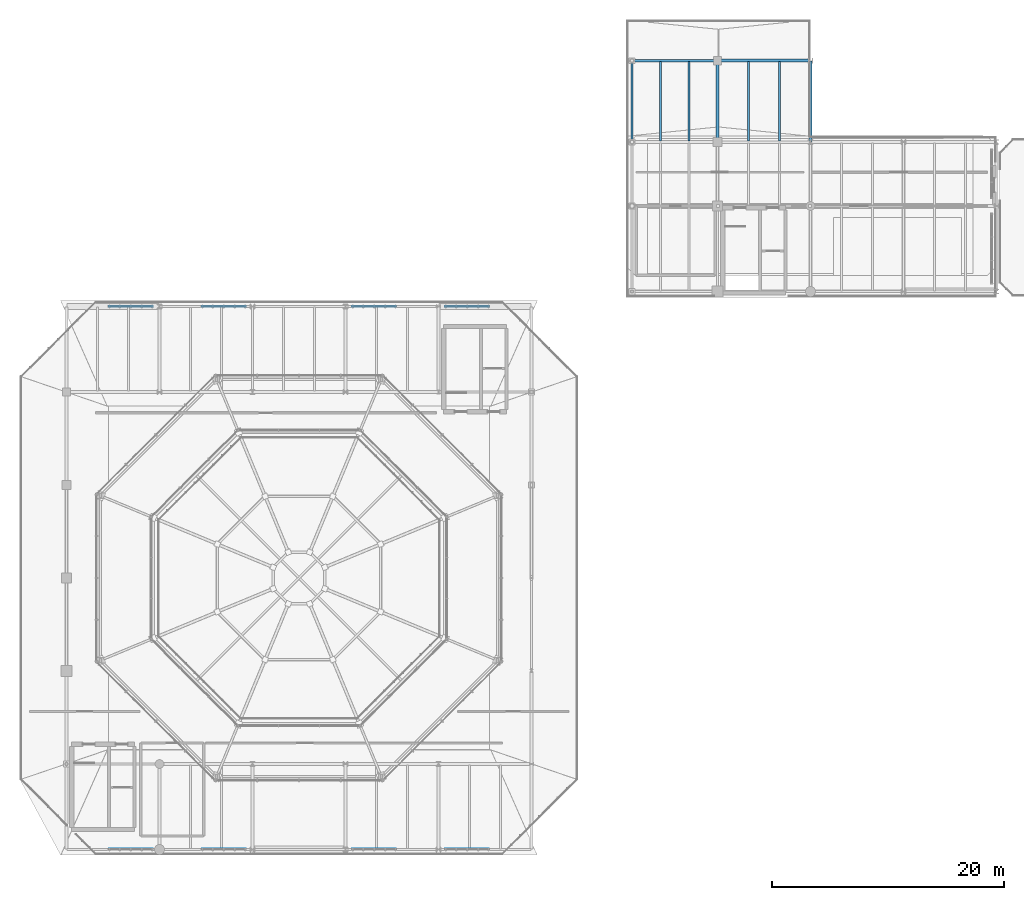
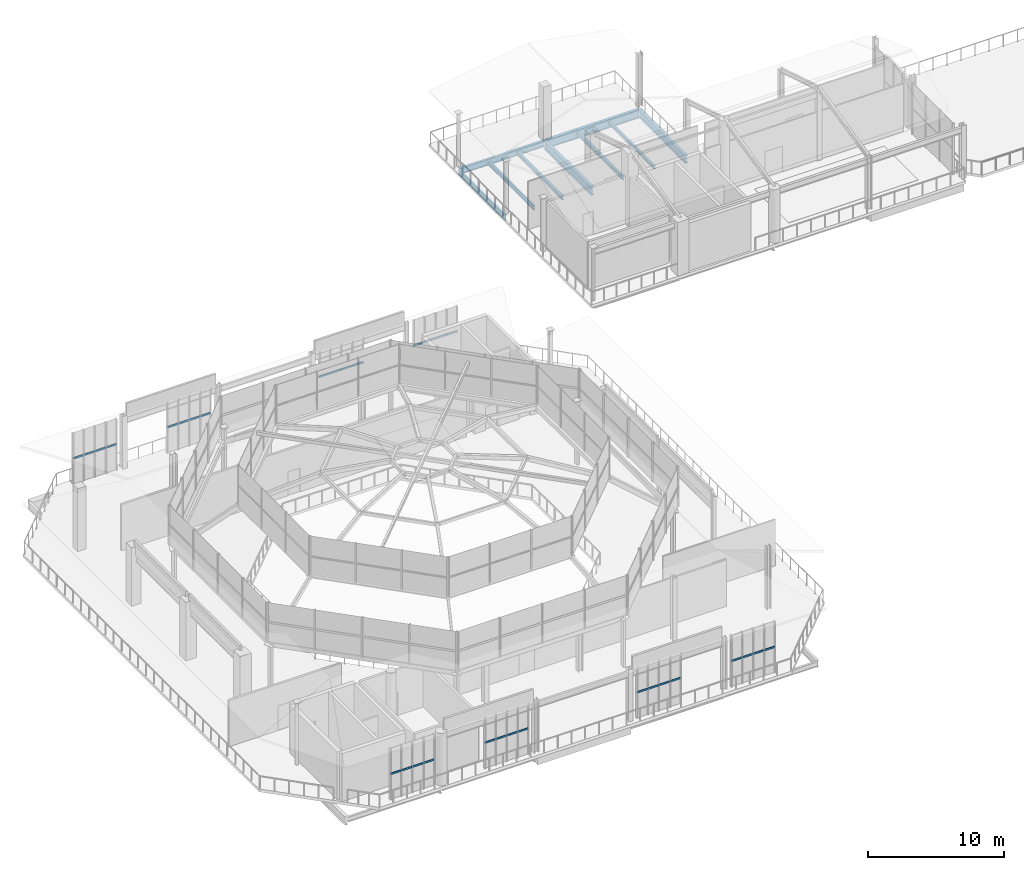
# One storey, part 18 of 30: 32 members, 9 beams, 8 elements without a shape of their own.
"""IFC4 building model written with IfcOpenShell, lengths in metres."""

from ifc_helpers import new_model, si_unit, direction, frame, origin, origin_2d, place, context, subcontext, project, spatial, rectangle, i_section, extrude, material, material_profile, profile_set, type_object, element, aggregate, save


model = new_model("IFC4")

# Units and contexts
model_context = context("Model", 3, precision=1e-05, world=origin(), true_north=direction((0.0, 1.0)))
body_context = subcontext(model_context, "Body", "Model", "MODEL_VIEW")
ifc_project = project(units=[si_unit("LENGTHUNIT", "METRE"), si_unit("AREAUNIT", "SQUARE_METRE"), si_unit("VOLUMEUNIT", "CUBIC_METRE"), si_unit("PLANEANGLEUNIT", "RADIAN"), si_unit("MASSUNIT", "GRAM", prefix="KILO")], contexts=[model_context])

# Site, building, storey
site_placement = place(None, origin())
site = spatial("IfcSite", under=ifc_project, at=site_placement, CompositionType="ELEMENT")
building_placement = place(site_placement, origin())
building = spatial("IfcBuilding", under=site, at=building_placement, Name="Brisemont Oceanarium", CompositionType="ELEMENT")
storey_placement = place(building_placement, frame((0.0, 0.0, 19.800048828125)))
storey = spatial("IfcBuildingStorey", under=building, at=storey_placement, Name="L04", CompositionType="ELEMENT", Elevation=19.800048828125)

# Beams
ifc_material_1 = material(Name="Structural Steel ASTM A992 Gr.50", Category="steel")
ifc_material_profile_1 = material_profile(ifc_material_1, i_section(OverallWidth=0.1650390625, OverallDepth=0.31005859375, WebThickness=0.005859375, FlangeThickness=0.009765625, FilletRadius=0.008056640625, at=origin_2d()), Name="W12X26")
ifc_profile_set_1 = profile_set([ifc_material_profile_1], Name="Structural Steel ASTM A992 Gr.50")
beam_type_1 = type_object("IfcBeamType", Name="BM-W12X26", PredefinedType="JOIST", material=ifc_profile_set_1)
beam_1_placement = place(storey_placement, frame((125.333251953125, 93.590087890625, -0.39501953125), z_axis=(0.0, 1.0, 0.0), x_axis=(-1.0, 0.0, 0.0)))
element("IfcBeam", 1, at=beam_1_placement, inside=storey, type_object=beam_type_1, Name="V6 L04 secondary floor beam", PredefinedType="JOIST", context=body_context, shape_type="SweptSolid", body=[
    extrude(i_section(OverallWidth=0.1650390625, OverallDepth=0.31005859375, WebThickness=0.005859375, FlangeThickness=0.009765625, FilletRadius=0.008056640625, at=origin_2d()), origin(), (0.0, 0.0, 1.0), 6.81982421875),
])
ifc_material_2 = material(Name="Structural Steel ASTM A992 Gr.50", Category="steel")
ifc_material_profile_2 = material_profile(ifc_material_2, i_section(OverallWidth=0.1708984375, OverallDepth=0.35107421875, WebThickness=0.0068359375, FlangeThickness=0.009765625, FilletRadius=0.010009765625, at=origin_2d()), Name="W14X30")
ifc_profile_set_2 = profile_set([ifc_material_profile_2], Name="Structural Steel ASTM A992 Gr.50")
beam_type_2 = type_object("IfcBeamType", Name="BM-W14X30", PredefinedType="JOIST", material=ifc_profile_set_2)
for number, where, z_axis, x_axis, name in (
    (2, (117.550048828125, 93.590087890625, -0.41552734375), (0.0, 1.0, 0.0), (-1.0, 0.0, 0.0), "V6 L04 secondary floor beam"),
    (3, (122.666748046875, 93.590087890625, -0.41552734375), (0.0, 1.0, 0.0), (-1.0, 0.0, 0.0), "V6 L04 secondary floor beam"),
):
    element("IfcBeam", number, at=place(storey_placement, frame(where, z_axis=z_axis, x_axis=x_axis)), inside=storey, type_object=beam_type_2, Name=name, PredefinedType="JOIST", context=body_context, shape_type="SweptSolid", body=[
        extrude(i_section(OverallWidth=0.1708984375, OverallDepth=0.35107421875, WebThickness=0.0068359375, FlangeThickness=0.009765625, FilletRadius=0.010009765625, at=origin_2d()), origin(), (0.0, 0.0, 1.0), 6.81982421875),
    ])
ifc_material_3 = material(Name="Structural Steel ASTM A992 Gr.50", Category="steel")
ifc_material_profile_3 = material_profile(ifc_material_3, i_section(OverallWidth=0.139892578125, OverallDepth=0.39892578125, WebThickness=0.00634765625, FlangeThickness=0.0087890625, FilletRadius=0.010009765625, at=origin_2d()), Name="W16X26")
ifc_profile_set_3 = profile_set([ifc_material_profile_3], Name="Structural Steel ASTM A992 Gr.50")
beam_type_3 = type_object("IfcBeamType", Name="BM-W16X26", PredefinedType="JOIST", material=ifc_profile_set_3)
beam_2_placement = place(storey_placement, frame((115.10009765625, 93.590087890625, -0.439453125), z_axis=(0.0, 1.0, 0.0), x_axis=(-1.0, 0.0, 0.0)))
element("IfcBeam", 4, at=beam_2_placement, inside=storey, type_object=beam_type_3, Name="V6 L04 secondary floor beam", PredefinedType="JOIST", context=body_context, shape_type="SweptSolid", body=[
    extrude(i_section(OverallWidth=0.139892578125, OverallDepth=0.39892578125, WebThickness=0.00634765625, FlangeThickness=0.0087890625, FilletRadius=0.010009765625, at=origin_2d()), origin(), (0.0, 0.0, 1.0), 6.81982421875),
])
ifc_material_4 = material(Name="Structural Steel ASTM A992 Gr.50", Category="steel")
ifc_material_profile_4 = material_profile(ifc_material_4, i_section(OverallWidth=0.154052734375, OverallDepth=0.458984375, WebThickness=0.009033203125, FlangeThickness=0.015380859375, FilletRadius=0.010986328125, at=origin_2d()), Name="W18X46")
ifc_profile_set_4 = profile_set([ifc_material_profile_4], Name="Structural Steel ASTM A992 Gr.50")
beam_type_4 = type_object("IfcBeamType", Name="BM-W18X46", PredefinedType="SPANDREL", material=ifc_profile_set_4)
beam_3_placement = place(storey_placement, frame((112.64990234375, 93.5400390625, -0.469482421875), z_axis=(0.0, 1.0, 0.0), x_axis=(-1.0, 0.0, 0.0)))
element("IfcBeam", 5, at=beam_3_placement, inside=storey, type_object=beam_type_4, Name="V6 L04 NS girder", PredefinedType="SPANDREL", context=body_context, shape_type="SweptSolid", body=[
    extrude(i_section(OverallWidth=0.154052734375, OverallDepth=0.458984375, WebThickness=0.009033203125, FlangeThickness=0.015380859375, FilletRadius=0.010986328125, at=origin_2d()), origin(), (0.0, 0.0, 1.0), 6.919921875),
])
ifc_material_5 = material(Name="Structural Steel ASTM A992 Gr.50", Category="steel")
ifc_material_profile_5 = material_profile(ifc_material_5, i_section(OverallWidth=0.2099609375, OverallDepth=0.532958984375, WebThickness=0.01025390625, FlangeThickness=0.015625, FilletRadius=0.012939453125, at=origin_2d()), Name="W21X62")
ifc_profile_set_5 = profile_set([ifc_material_profile_5], Name="Structural Steel ASTM A992 Gr.50")
beam_type_5 = type_object("IfcBeamType", Name="BM-W21X62", PredefinedType="BEAM", material=ifc_profile_set_5)
beam_4_placement = place(storey_placement, frame((112.68994140625, 100.5, -0.506591796875), z_axis=(1.0, 0.0, 0.0), x_axis=(0.0, 1.0, 0.0)))
element("IfcBeam", 6, at=beam_4_placement, inside=storey, type_object=beam_type_5, Name="V6 L04 EW girder", PredefinedType="BEAM", context=body_context, shape_type="SweptSolid", body=[
    extrude(i_section(OverallWidth=0.2099609375, OverallDepth=0.532958984375, WebThickness=0.01025390625, FlangeThickness=0.015625, FilletRadius=0.012939453125, at=origin_2d()), origin(), (0.0, 0.0, 1.0), 7.27001953125),
])
ifc_material_6 = material(Name="Structural Steel ASTM A992 Gr.50", Category="steel")
ifc_material_profile_6 = material_profile(ifc_material_6, i_section(OverallWidth=0.25390625, OverallDepth=0.68310546875, WebThickness=0.012451171875, FlangeThickness=0.018798828125, FilletRadius=0.014892578125, at=origin_2d()), Name="W27X94")
ifc_profile_set_6 = profile_set([ifc_material_profile_6], Name="Structural Steel ASTM A992 Gr.50")
beam_type_6 = type_object("IfcBeamType", Name="BM-W27X94", PredefinedType="BEAM", material=ifc_profile_set_6)
beam_5_placement = place(storey_placement, frame((128.0, 93.5400390625, -0.58154296875), z_axis=(0.0, 1.0, 0.0), x_axis=(-1.0, 0.0, 0.0)))
element("IfcBeam", 7, at=beam_5_placement, inside=storey, type_object=beam_type_6, Name="V6 L04 NS girder", PredefinedType="BEAM", context=body_context, shape_type="SweptSolid", body=[
    extrude(i_section(OverallWidth=0.25390625, OverallDepth=0.68310546875, WebThickness=0.012451171875, FlangeThickness=0.018798828125, FilletRadius=0.014892578125, at=origin_2d()), origin(), (0.0, 0.0, 1.0), 6.919921875),
])
ifc_material_7 = material(Name="Structural Steel ASTM A992 Gr.50", Category="steel")
ifc_material_profile_7 = material_profile(ifc_material_7, i_section(OverallWidth=0.26708984375, OverallDepth=0.761962890625, WebThickness=0.014404296875, FlangeThickness=0.021484375, FilletRadius=0.01611328125, at=origin_2d()), Name="W30X116")
ifc_profile_set_7 = profile_set([ifc_material_profile_7], Name="Structural Steel ASTM A992 Gr.50")
beam_type_7 = type_object("IfcBeamType", Name="BM-W30X116", PredefinedType="BEAM", material=ifc_profile_set_7)
beam_6_placement = place(storey_placement, frame((120.0400390625, 100.5, -0.62109375), z_axis=(1.0, 0.0, 0.0), x_axis=(0.0, 1.0, 0.0)))
element("IfcBeam", 8, at=beam_6_placement, inside=storey, type_object=beam_type_7, Name="V6 L04 EW girder", PredefinedType="BEAM", context=body_context, shape_type="SweptSolid", body=[
    extrude(i_section(OverallWidth=0.26708984375, OverallDepth=0.761962890625, WebThickness=0.014404296875, FlangeThickness=0.021484375, FilletRadius=0.01611328125, at=origin_2d()), origin(), (0.0, 0.0, 1.0), 7.919921875),
])
ifc_material_8 = material(Name="Structural Steel ASTM A992 Gr.50", Category="steel")
ifc_material_profile_8 = material_profile(ifc_material_8, i_section(OverallWidth=0.264892578125, OverallDepth=0.7529296875, WebThickness=0.01318359375, FlangeThickness=0.01708984375, FilletRadius=0.01611328125, at=origin_2d()), Name="W30X99")
ifc_profile_set_8 = profile_set([ifc_material_profile_8], Name="Structural Steel ASTM A992 Gr.50")
beam_type_8 = type_object("IfcBeamType", Name="BM-W30X99", PredefinedType="BEAM", material=ifc_profile_set_8)
beam_7_placement = place(storey_placement, frame((120.0, 93.5400390625, -0.616455078125), z_axis=(0.0, 1.0, 0.0), x_axis=(-1.0, 0.0, 0.0)))
element("IfcBeam", 9, at=beam_7_placement, inside=storey, type_object=beam_type_8, Name="V6 L04 NS girder", PredefinedType="BEAM", context=body_context, shape_type="SweptSolid", body=[
    extrude(i_section(OverallWidth=0.264892578125, OverallDepth=0.7529296875, WebThickness=0.01318359375, FlangeThickness=0.01708984375, FilletRadius=0.01611328125, at=origin_2d()), origin(), (0.0, 0.0, 1.0), 6.919921875),
])

# Curtain wall, members
ifc_material_9 = material(Name="Anodized Extruded Aluminum 6063-T6", Category="aluminium")
curtain_wall_type = type_object("IfcCurtainWallType", Name="CW-ROT-69X44", PredefinedType="NOTDEFINED", material=ifc_material_9)
curtain_wall_1_placement = place(storey_placement, origin())
curtain_wall_1 = element("IfcCurtainWall", 10, at=curtain_wall_1_placement, inside=storey, type_object=curtain_wall_type, Name="CW-03 curtain wall CW-V1-S-L04-01", PredefinedType="NOTDEFINED")
ifc_material_10 = material(Name="Anodized Extruded Aluminum 6063-T6", Category="aluminium")
ifc_material_profile_9 = material_profile(ifc_material_10, rectangle(XDim=0.074951171875, YDim=0.1650390625, at=origin_2d()), Name="CWT-75X165")
ifc_profile_set_9 = profile_set([ifc_material_profile_9], Name="Anodized Extruded Aluminum 6063-T6")
member_type = type_object("IfcMemberType", Name="MEM-CWT-75", PredefinedType="USERDEFINED", material=ifc_profile_set_9)
member_1_placement = place(storey_placement, frame((67.6650390625, 32.64990234375, 2.300048828125), z_axis=(1.0, 0.0, 0.0), x_axis=(0.0, 1.0, 0.0)))
member_1 = element("IfcMember", 11, at=member_1_placement, type_object=member_type, Name="CW-V1-S-L04-01 transom 1.1", ObjectType="TRANSOM", PredefinedType="USERDEFINED", context=body_context, shape_type="SweptSolid", body=[
    extrude(rectangle(XDim=0.074951171875, YDim=0.1650390625, at=origin_2d()), origin(), (0.0, 0.0, 1.0), 0.912353515625),
])
member_2_placement = place(storey_placement, frame((68.607421875, 32.64990234375, 2.300048828125), z_axis=(1.0, 0.0, 0.0), x_axis=(0.0, 1.0, 0.0)))
member_2 = element("IfcMember", 12, at=member_2_placement, type_object=member_type, Name="CW-V1-S-L04-01 transom 2.1", ObjectType="TRANSOM", PredefinedType="USERDEFINED", context=body_context, shape_type="SweptSolid", body=[
    extrude(rectangle(XDim=0.074951171875, YDim=0.1650390625, at=origin_2d()), origin(), (0.0, 0.0, 1.0), 0.91259765625),
])
member_3_placement = place(storey_placement, frame((69.550048828125, 32.64990234375, 2.300048828125), z_axis=(1.0, 0.0, 0.0), x_axis=(0.0, 1.0, 0.0)))
member_3 = element("IfcMember", 13, at=member_3_placement, type_object=member_type, Name="CW-V1-S-L04-01 transom 3.1", ObjectType="TRANSOM", PredefinedType="USERDEFINED", context=body_context, shape_type="SweptSolid", body=[
    extrude(rectangle(XDim=0.074951171875, YDim=0.1650390625, at=origin_2d()), origin(), (0.0, 0.0, 1.0), 0.912353515625),
])
member_4_placement = place(storey_placement, frame((70.492431640625, 32.64990234375, 2.300048828125), z_axis=(1.0, 0.0, 0.0), x_axis=(0.0, 1.0, 0.0)))
member_4 = element("IfcMember", 14, at=member_4_placement, type_object=member_type, Name="CW-V1-S-L04-01 transom 4.1", ObjectType="TRANSOM", PredefinedType="USERDEFINED", context=body_context, shape_type="SweptSolid", body=[
    extrude(rectangle(XDim=0.074951171875, YDim=0.1650390625, at=origin_2d()), origin(), (0.0, 0.0, 1.0), 0.91259765625),
])
aggregate(curtain_wall_1, [member_1, member_2, member_3, member_4])

curtain_wall_2_placement = place(storey_placement, origin())
curtain_wall_2 = element("IfcCurtainWall", 15, at=curtain_wall_2_placement, inside=storey, type_object=curtain_wall_type, Name="CW-03 curtain wall CW-V1-S-L04-02", PredefinedType="NOTDEFINED")
member_5_placement = place(storey_placement, frame((75.6650390625, 32.64990234375, 2.300048828125), z_axis=(1.0, 0.0, 0.0), x_axis=(0.0, 1.0, 0.0)))
member_5 = element("IfcMember", 16, at=member_5_placement, type_object=member_type, Name="CW-V1-S-L04-02 transom 1.1", ObjectType="TRANSOM", PredefinedType="USERDEFINED", context=body_context, shape_type="SweptSolid", body=[
    extrude(rectangle(XDim=0.074951171875, YDim=0.1650390625, at=origin_2d()), origin(), (0.0, 0.0, 1.0), 0.912353515625),
])
member_6_placement = place(storey_placement, frame((76.607421875, 32.64990234375, 2.300048828125), z_axis=(1.0, 0.0, 0.0), x_axis=(0.0, 1.0, 0.0)))
member_6 = element("IfcMember", 17, at=member_6_placement, type_object=member_type, Name="CW-V1-S-L04-02 transom 2.1", ObjectType="TRANSOM", PredefinedType="USERDEFINED", context=body_context, shape_type="SweptSolid", body=[
    extrude(rectangle(XDim=0.074951171875, YDim=0.1650390625, at=origin_2d()), origin(), (0.0, 0.0, 1.0), 0.91259765625),
])
member_7_placement = place(storey_placement, frame((77.550048828125, 32.64990234375, 2.300048828125), z_axis=(1.0, 0.0, 0.0), x_axis=(0.0, 1.0, 0.0)))
member_7 = element("IfcMember", 18, at=member_7_placement, type_object=member_type, Name="CW-V1-S-L04-02 transom 3.1", ObjectType="TRANSOM", PredefinedType="USERDEFINED", context=body_context, shape_type="SweptSolid", body=[
    extrude(rectangle(XDim=0.074951171875, YDim=0.1650390625, at=origin_2d()), origin(), (0.0, 0.0, 1.0), 0.912353515625),
])
member_8_placement = place(storey_placement, frame((78.492431640625, 32.64990234375, 2.300048828125), z_axis=(1.0, 0.0, 0.0), x_axis=(0.0, 1.0, 0.0)))
member_8 = element("IfcMember", 19, at=member_8_placement, type_object=member_type, Name="CW-V1-S-L04-02 transom 4.1", ObjectType="TRANSOM", PredefinedType="USERDEFINED", context=body_context, shape_type="SweptSolid", body=[
    extrude(rectangle(XDim=0.074951171875, YDim=0.1650390625, at=origin_2d()), origin(), (0.0, 0.0, 1.0), 0.91259765625),
])
aggregate(curtain_wall_2, [member_5, member_6, member_7, member_8])

curtain_wall_3_placement = place(storey_placement, origin())
curtain_wall_3 = element("IfcCurtainWall", 20, at=curtain_wall_3_placement, inside=storey, type_object=curtain_wall_type, Name="CW-03 curtain wall CW-V1-S-L04-03", PredefinedType="NOTDEFINED")
member_9_placement = place(storey_placement, frame((88.594970703125, 32.64990234375, 2.300048828125), z_axis=(1.0, 0.0, 0.0), x_axis=(0.0, 1.0, 0.0)))
member_9 = element("IfcMember", 21, at=member_9_placement, type_object=member_type, Name="CW-V1-S-L04-03 transom 1.1", ObjectType="TRANSOM", PredefinedType="USERDEFINED", context=body_context, shape_type="SweptSolid", body=[
    extrude(rectangle(XDim=0.074951171875, YDim=0.1650390625, at=origin_2d()), origin(), (0.0, 0.0, 1.0), 0.91259765625),
])
member_10_placement = place(storey_placement, frame((89.53759765625, 32.64990234375, 2.300048828125), z_axis=(1.0, 0.0, 0.0), x_axis=(0.0, 1.0, 0.0)))
member_10 = element("IfcMember", 22, at=member_10_placement, type_object=member_type, Name="CW-V1-S-L04-03 transom 2.1", ObjectType="TRANSOM", PredefinedType="USERDEFINED", context=body_context, shape_type="SweptSolid", body=[
    extrude(rectangle(XDim=0.074951171875, YDim=0.1650390625, at=origin_2d()), origin(), (0.0, 0.0, 1.0), 0.912353515625),
])
member_11_placement = place(storey_placement, frame((90.47998046875, 32.64990234375, 2.300048828125), z_axis=(1.0, 0.0, 0.0), x_axis=(0.0, 1.0, 0.0)))
member_11 = element("IfcMember", 23, at=member_11_placement, type_object=member_type, Name="CW-V1-S-L04-03 transom 3.1", ObjectType="TRANSOM", PredefinedType="USERDEFINED", context=body_context, shape_type="SweptSolid", body=[
    extrude(rectangle(XDim=0.074951171875, YDim=0.1650390625, at=origin_2d()), origin(), (0.0, 0.0, 1.0), 0.91259765625),
])
member_12_placement = place(storey_placement, frame((91.422607421875, 32.64990234375, 2.300048828125), z_axis=(1.0, 0.0, 0.0), x_axis=(0.0, 1.0, 0.0)))
member_12 = element("IfcMember", 24, at=member_12_placement, type_object=member_type, Name="CW-V1-S-L04-03 transom 4.1", ObjectType="TRANSOM", PredefinedType="USERDEFINED", context=body_context, shape_type="SweptSolid", body=[
    extrude(rectangle(XDim=0.074951171875, YDim=0.1650390625, at=origin_2d()), origin(), (0.0, 0.0, 1.0), 0.912353515625),
])
aggregate(curtain_wall_3, [member_9, member_10, member_11, member_12])

curtain_wall_4_placement = place(storey_placement, origin())
curtain_wall_4 = element("IfcCurtainWall", 25, at=curtain_wall_4_placement, inside=storey, type_object=curtain_wall_type, Name="CW-03 curtain wall CW-V1-S-L04-04", PredefinedType="NOTDEFINED")
member_13_placement = place(storey_placement, frame((96.594970703125, 32.64990234375, 2.300048828125), z_axis=(1.0, 0.0, 0.0), x_axis=(0.0, 1.0, 0.0)))
member_13 = element("IfcMember", 26, at=member_13_placement, type_object=member_type, Name="CW-V1-S-L04-04 transom 1.1", ObjectType="TRANSOM", PredefinedType="USERDEFINED", context=body_context, shape_type="SweptSolid", body=[
    extrude(rectangle(XDim=0.074951171875, YDim=0.1650390625, at=origin_2d()), origin(), (0.0, 0.0, 1.0), 0.91259765625),
])
member_14_placement = place(storey_placement, frame((97.53759765625, 32.64990234375, 2.300048828125), z_axis=(1.0, 0.0, 0.0), x_axis=(0.0, 1.0, 0.0)))
member_14 = element("IfcMember", 27, at=member_14_placement, type_object=member_type, Name="CW-V1-S-L04-04 transom 2.1", ObjectType="TRANSOM", PredefinedType="USERDEFINED", context=body_context, shape_type="SweptSolid", body=[
    extrude(rectangle(XDim=0.074951171875, YDim=0.1650390625, at=origin_2d()), origin(), (0.0, 0.0, 1.0), 0.912353515625),
])
member_15_placement = place(storey_placement, frame((98.47998046875, 32.64990234375, 2.300048828125), z_axis=(1.0, 0.0, 0.0), x_axis=(0.0, 1.0, 0.0)))
member_15 = element("IfcMember", 28, at=member_15_placement, type_object=member_type, Name="CW-V1-S-L04-04 transom 3.1", ObjectType="TRANSOM", PredefinedType="USERDEFINED", context=body_context, shape_type="SweptSolid", body=[
    extrude(rectangle(XDim=0.074951171875, YDim=0.1650390625, at=origin_2d()), origin(), (0.0, 0.0, 1.0), 0.91259765625),
])
member_16_placement = place(storey_placement, frame((99.422607421875, 32.64990234375, 2.300048828125), z_axis=(1.0, 0.0, 0.0), x_axis=(0.0, 1.0, 0.0)))
member_16 = element("IfcMember", 29, at=member_16_placement, type_object=member_type, Name="CW-V1-S-L04-04 transom 4.1", ObjectType="TRANSOM", PredefinedType="USERDEFINED", context=body_context, shape_type="SweptSolid", body=[
    extrude(rectangle(XDim=0.074951171875, YDim=0.1650390625, at=origin_2d()), origin(), (0.0, 0.0, 1.0), 0.912353515625),
])
aggregate(curtain_wall_4, [member_13, member_14, member_15, member_16])

curtain_wall_5_placement = place(storey_placement, origin())
curtain_wall_5 = element("IfcCurtainWall", 30, at=curtain_wall_5_placement, inside=storey, type_object=curtain_wall_type, Name="CW-03 curtain wall CW-V1-N-L04-01", PredefinedType="NOTDEFINED")
member_17_placement = place(storey_placement, frame((67.6650390625, 79.35009765625, 2.300048828125), z_axis=(1.0, 0.0, 0.0), x_axis=(0.0, 1.0, 0.0)))
member_17 = element("IfcMember", 31, at=member_17_placement, type_object=member_type, Name="CW-V1-N-L04-01 transom 1.1", ObjectType="TRANSOM", PredefinedType="USERDEFINED", context=body_context, shape_type="SweptSolid", body=[
    extrude(rectangle(XDim=0.074951171875, YDim=0.1650390625, at=origin_2d()), origin(), (0.0, 0.0, 1.0), 0.912353515625),
])
member_18_placement = place(storey_placement, frame((68.607421875, 79.35009765625, 2.300048828125), z_axis=(1.0, 0.0, 0.0), x_axis=(0.0, 1.0, 0.0)))
member_18 = element("IfcMember", 32, at=member_18_placement, type_object=member_type, Name="CW-V1-N-L04-01 transom 2.1", ObjectType="TRANSOM", PredefinedType="USERDEFINED", context=body_context, shape_type="SweptSolid", body=[
    extrude(rectangle(XDim=0.074951171875, YDim=0.1650390625, at=origin_2d()), origin(), (0.0, 0.0, 1.0), 0.91259765625),
])
member_19_placement = place(storey_placement, frame((69.550048828125, 79.35009765625, 2.300048828125), z_axis=(1.0, 0.0, 0.0), x_axis=(0.0, 1.0, 0.0)))
member_19 = element("IfcMember", 33, at=member_19_placement, type_object=member_type, Name="CW-V1-N-L04-01 transom 3.1", ObjectType="TRANSOM", PredefinedType="USERDEFINED", context=body_context, shape_type="SweptSolid", body=[
    extrude(rectangle(XDim=0.074951171875, YDim=0.1650390625, at=origin_2d()), origin(), (0.0, 0.0, 1.0), 0.912353515625),
])
member_20_placement = place(storey_placement, frame((70.492431640625, 79.35009765625, 2.300048828125), z_axis=(1.0, 0.0, 0.0), x_axis=(0.0, 1.0, 0.0)))
member_20 = element("IfcMember", 34, at=member_20_placement, type_object=member_type, Name="CW-V1-N-L04-01 transom 4.1", ObjectType="TRANSOM", PredefinedType="USERDEFINED", context=body_context, shape_type="SweptSolid", body=[
    extrude(rectangle(XDim=0.074951171875, YDim=0.1650390625, at=origin_2d()), origin(), (0.0, 0.0, 1.0), 0.91259765625),
])
aggregate(curtain_wall_5, [member_17, member_18, member_19, member_20])

curtain_wall_6_placement = place(storey_placement, origin())
curtain_wall_6 = element("IfcCurtainWall", 35, at=curtain_wall_6_placement, inside=storey, type_object=curtain_wall_type, Name="CW-03 curtain wall CW-V1-N-L04-02", PredefinedType="NOTDEFINED")
member_21_placement = place(storey_placement, frame((75.6650390625, 79.35009765625, 2.300048828125), z_axis=(1.0, 0.0, 0.0), x_axis=(0.0, 1.0, 0.0)))
member_21 = element("IfcMember", 36, at=member_21_placement, type_object=member_type, Name="CW-V1-N-L04-02 transom 1.1", ObjectType="TRANSOM", PredefinedType="USERDEFINED", context=body_context, shape_type="SweptSolid", body=[
    extrude(rectangle(XDim=0.074951171875, YDim=0.1650390625, at=origin_2d()), origin(), (0.0, 0.0, 1.0), 0.912353515625),
])
member_22_placement = place(storey_placement, frame((76.607421875, 79.35009765625, 2.300048828125), z_axis=(1.0, 0.0, 0.0), x_axis=(0.0, 1.0, 0.0)))
member_22 = element("IfcMember", 37, at=member_22_placement, type_object=member_type, Name="CW-V1-N-L04-02 transom 2.1", ObjectType="TRANSOM", PredefinedType="USERDEFINED", context=body_context, shape_type="SweptSolid", body=[
    extrude(rectangle(XDim=0.074951171875, YDim=0.1650390625, at=origin_2d()), origin(), (0.0, 0.0, 1.0), 0.91259765625),
])
member_23_placement = place(storey_placement, frame((77.550048828125, 79.35009765625, 2.300048828125), z_axis=(1.0, 0.0, 0.0), x_axis=(0.0, 1.0, 0.0)))
member_23 = element("IfcMember", 38, at=member_23_placement, type_object=member_type, Name="CW-V1-N-L04-02 transom 3.1", ObjectType="TRANSOM", PredefinedType="USERDEFINED", context=body_context, shape_type="SweptSolid", body=[
    extrude(rectangle(XDim=0.074951171875, YDim=0.1650390625, at=origin_2d()), origin(), (0.0, 0.0, 1.0), 0.912353515625),
])
member_24_placement = place(storey_placement, frame((78.492431640625, 79.35009765625, 2.300048828125), z_axis=(1.0, 0.0, 0.0), x_axis=(0.0, 1.0, 0.0)))
member_24 = element("IfcMember", 39, at=member_24_placement, type_object=member_type, Name="CW-V1-N-L04-02 transom 4.1", ObjectType="TRANSOM", PredefinedType="USERDEFINED", context=body_context, shape_type="SweptSolid", body=[
    extrude(rectangle(XDim=0.074951171875, YDim=0.1650390625, at=origin_2d()), origin(), (0.0, 0.0, 1.0), 0.91259765625),
])
aggregate(curtain_wall_6, [member_21, member_22, member_23, member_24])

curtain_wall_7_placement = place(storey_placement, origin())
curtain_wall_7 = element("IfcCurtainWall", 40, at=curtain_wall_7_placement, inside=storey, type_object=curtain_wall_type, Name="CW-03 curtain wall CW-V1-N-L04-03", PredefinedType="NOTDEFINED")
member_25_placement = place(storey_placement, frame((88.594970703125, 79.35009765625, 2.300048828125), z_axis=(1.0, 0.0, 0.0), x_axis=(0.0, 1.0, 0.0)))
member_25 = element("IfcMember", 41, at=member_25_placement, type_object=member_type, Name="CW-V1-N-L04-03 transom 1.1", ObjectType="TRANSOM", PredefinedType="USERDEFINED", context=body_context, shape_type="SweptSolid", body=[
    extrude(rectangle(XDim=0.074951171875, YDim=0.1650390625, at=origin_2d()), origin(), (0.0, 0.0, 1.0), 0.91259765625),
])
member_26_placement = place(storey_placement, frame((89.53759765625, 79.35009765625, 2.300048828125), z_axis=(1.0, 0.0, 0.0), x_axis=(0.0, 1.0, 0.0)))
member_26 = element("IfcMember", 42, at=member_26_placement, type_object=member_type, Name="CW-V1-N-L04-03 transom 2.1", ObjectType="TRANSOM", PredefinedType="USERDEFINED", context=body_context, shape_type="SweptSolid", body=[
    extrude(rectangle(XDim=0.074951171875, YDim=0.1650390625, at=origin_2d()), origin(), (0.0, 0.0, 1.0), 0.912353515625),
])
member_27_placement = place(storey_placement, frame((90.47998046875, 79.35009765625, 2.300048828125), z_axis=(1.0, 0.0, 0.0), x_axis=(0.0, 1.0, 0.0)))
member_27 = element("IfcMember", 43, at=member_27_placement, type_object=member_type, Name="CW-V1-N-L04-03 transom 3.1", ObjectType="TRANSOM", PredefinedType="USERDEFINED", context=body_context, shape_type="SweptSolid", body=[
    extrude(rectangle(XDim=0.074951171875, YDim=0.1650390625, at=origin_2d()), origin(), (0.0, 0.0, 1.0), 0.91259765625),
])
member_28_placement = place(storey_placement, frame((91.422607421875, 79.35009765625, 2.300048828125), z_axis=(1.0, 0.0, 0.0), x_axis=(0.0, 1.0, 0.0)))
member_28 = element("IfcMember", 44, at=member_28_placement, type_object=member_type, Name="CW-V1-N-L04-03 transom 4.1", ObjectType="TRANSOM", PredefinedType="USERDEFINED", context=body_context, shape_type="SweptSolid", body=[
    extrude(rectangle(XDim=0.074951171875, YDim=0.1650390625, at=origin_2d()), origin(), (0.0, 0.0, 1.0), 0.912353515625),
])
aggregate(curtain_wall_7, [member_25, member_26, member_27, member_28])

curtain_wall_8_placement = place(storey_placement, origin())
curtain_wall_8 = element("IfcCurtainWall", 45, at=curtain_wall_8_placement, inside=storey, type_object=curtain_wall_type, Name="CW-03 curtain wall CW-V1-N-L04-04", PredefinedType="NOTDEFINED")
member_29_placement = place(storey_placement, frame((96.594970703125, 79.35009765625, 2.300048828125), z_axis=(1.0, 0.0, 0.0), x_axis=(0.0, 1.0, 0.0)))
member_29 = element("IfcMember", 46, at=member_29_placement, type_object=member_type, Name="CW-V1-N-L04-04 transom 1.1", ObjectType="TRANSOM", PredefinedType="USERDEFINED", context=body_context, shape_type="SweptSolid", body=[
    extrude(rectangle(XDim=0.074951171875, YDim=0.1650390625, at=origin_2d()), origin(), (0.0, 0.0, 1.0), 0.91259765625),
])
member_30_placement = place(storey_placement, frame((97.53759765625, 79.35009765625, 2.300048828125), z_axis=(1.0, 0.0, 0.0), x_axis=(0.0, 1.0, 0.0)))
member_30 = element("IfcMember", 47, at=member_30_placement, type_object=member_type, Name="CW-V1-N-L04-04 transom 2.1", ObjectType="TRANSOM", PredefinedType="USERDEFINED", context=body_context, shape_type="SweptSolid", body=[
    extrude(rectangle(XDim=0.074951171875, YDim=0.1650390625, at=origin_2d()), origin(), (0.0, 0.0, 1.0), 0.912353515625),
])
member_31_placement = place(storey_placement, frame((98.47998046875, 79.35009765625, 2.300048828125), z_axis=(1.0, 0.0, 0.0), x_axis=(0.0, 1.0, 0.0)))
member_31 = element("IfcMember", 48, at=member_31_placement, type_object=member_type, Name="CW-V1-N-L04-04 transom 3.1", ObjectType="TRANSOM", PredefinedType="USERDEFINED", context=body_context, shape_type="SweptSolid", body=[
    extrude(rectangle(XDim=0.074951171875, YDim=0.1650390625, at=origin_2d()), origin(), (0.0, 0.0, 1.0), 0.91259765625),
])
member_32_placement = place(storey_placement, frame((99.422607421875, 79.35009765625, 2.300048828125), z_axis=(1.0, 0.0, 0.0), x_axis=(0.0, 1.0, 0.0)))
member_32 = element("IfcMember", 49, at=member_32_placement, type_object=member_type, Name="CW-V1-N-L04-04 transom 4.1", ObjectType="TRANSOM", PredefinedType="USERDEFINED", context=body_context, shape_type="SweptSolid", body=[
    extrude(rectangle(XDim=0.074951171875, YDim=0.1650390625, at=origin_2d()), origin(), (0.0, 0.0, 1.0), 0.912353515625),
])
aggregate(curtain_wall_8, [member_29, member_30, member_31, member_32])

save(model, "model.ifc")
